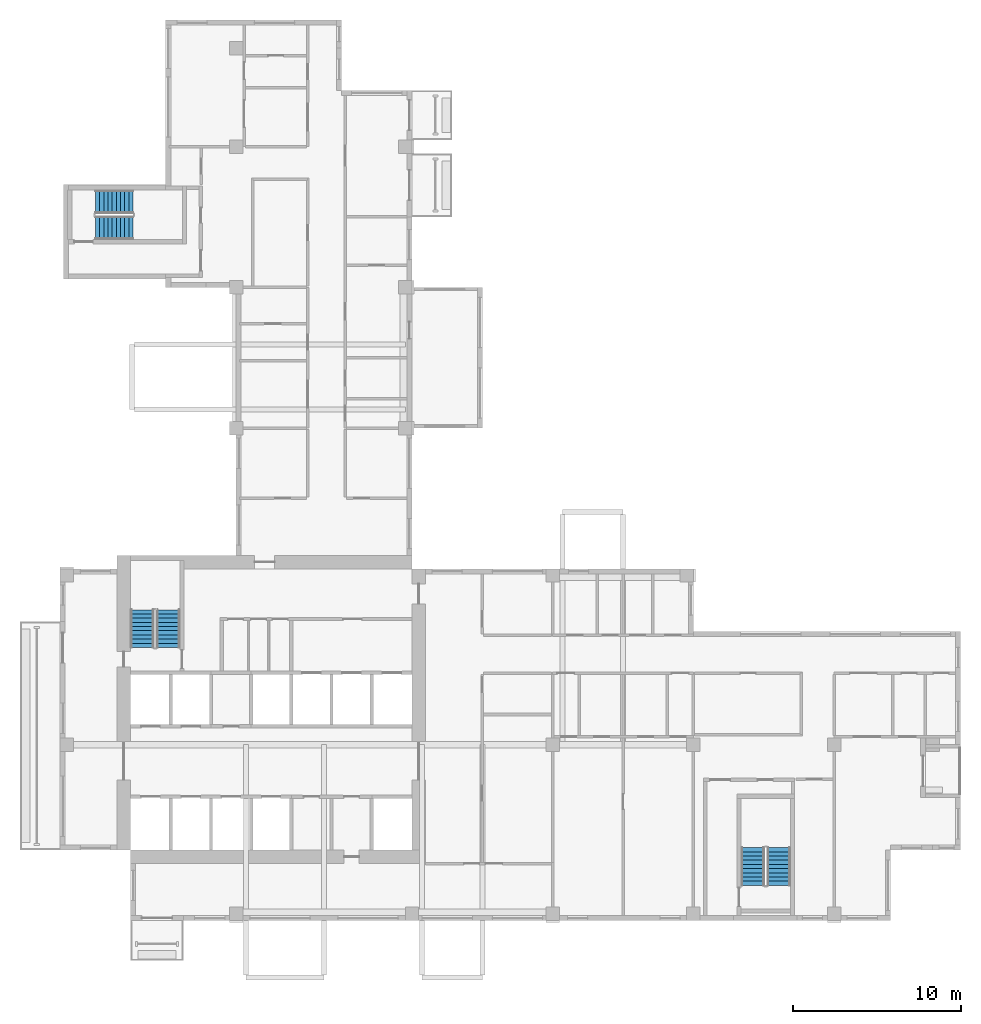
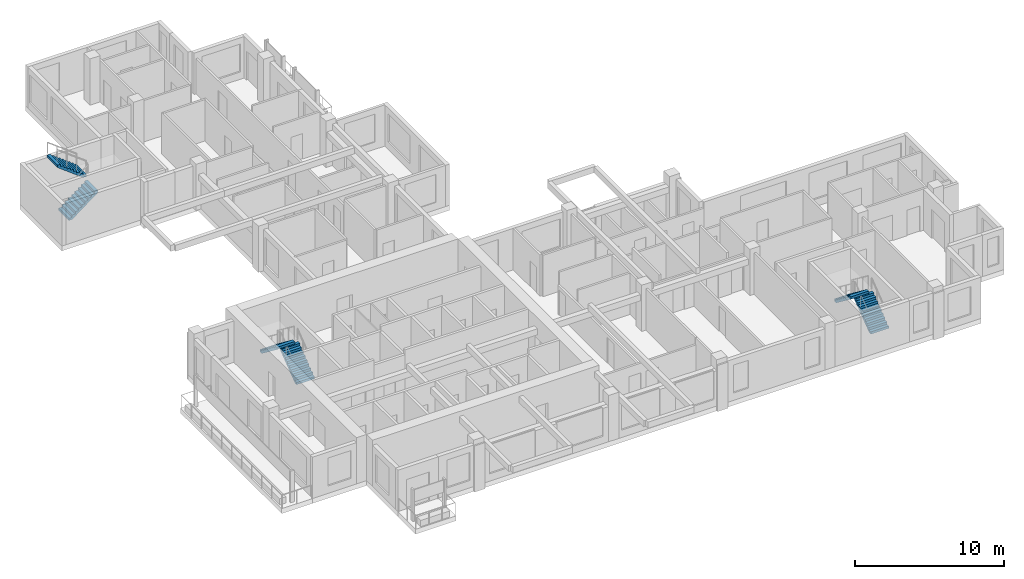
# One storey, part 8 of 12: 6 stair flights, 3 elements without a shape of their own.
"""IFC4 building model written with IfcOpenShell, lengths in metres."""

from ifc_helpers import new_model, si_unit, direction, frame, origin, place, context, subcontext, project, spatial, polyline, outline, extrude, source, transform, mapped, material, type_object, element, aggregate, save


model = new_model("IFC4")

# Units and contexts
model_context = context("Model", 3, precision=1e-05, world=origin(), true_north=direction((0.0, 1.0)))
body_context = subcontext(model_context, "Body", "Model", "MODEL_VIEW")
ifc_project = project(units=[si_unit("LENGTHUNIT", "METRE"), si_unit("AREAUNIT", "SQUARE_METRE"), si_unit("VOLUMEUNIT", "CUBIC_METRE"), si_unit("PLANEANGLEUNIT", "RADIAN"), si_unit("MASSUNIT", "GRAM", prefix="KILO")], contexts=[model_context])

# Site, building, storey
site_placement = place(None, origin())
site = spatial("IfcSite", under=ifc_project, at=site_placement, CompositionType="ELEMENT")
building_placement = place(site_placement, origin())
building = spatial("IfcBuilding", under=site, at=building_placement, Name="Aurelian Terraces", CompositionType="ELEMENT")
storey_placement = place(building_placement, frame((0.0, 0.0, 238.6)))
storey = spatial("IfcBuildingStorey", under=building, at=storey_placement, Name="L54", CompositionType="ELEMENT", Elevation=238.6)

# Stair, stair flights
ifc_material = material(Name="Concrete fc' 40 MPa", Category="concrete")
stair_type = type_object("IfcStairType", Name="Stair 1400", PredefinedType="HALF_TURN_STAIR", material=ifc_material)
stair_1_placement = place(storey_placement, origin())
stair_1 = element("IfcStair", 1, at=stair_1_placement, inside=storey, type_object=stair_type, Name="L54 S1", PredefinedType="HALF_TURN_STAIR")
stair_flight_type = type_object("IfcStairFlightType", Name="Stair flight 1400", PredefinedType="STRAIGHT", material=ifc_material)
shared_shape = source(origin(), body_context, "Body", "SweptSolid", [
    extrude(outline(polyline([(0.0, 0.0), (0.0, 0.19), (0.25, 0.19), (0.25, 0.38), (0.5, 0.38), (0.5, 0.57), (0.75, 0.57), (0.75, 0.76), (1.0, 0.76), (1.0, 0.95), (1.25, 0.95), (1.25, 1.14), (1.5, 1.14), (1.5, 1.33), (1.75, 1.33), (1.75, 1.52), (2.0, 1.52), (2.0, 1.71), (2.25, 1.71), (2.25, 1.9), (2.25, 1.5216), (0.2479, 0.0), (0.0, 0.0)])), frame((0.0, 0.7, 0.0), z_axis=(0.0, -1.0, 0.0), x_axis=(1.0, 0.0, 0.0)), (0.0, 0.0, 1.0), 1.4),
])
stair_flight_1_placement = place(storey_placement, frame((6.45, 16.3, 2e-08), z_axis=(0.0, 0.0, 1.0), x_axis=(0.0, 1.0, 0.0)))
stair_flight_1 = element("IfcStairFlight", 2, at=stair_flight_1_placement, type_object=stair_flight_type, Name="S1 flight 1", NumberOfRisers=10, NumberOfTreads=9, PredefinedType="STRAIGHT", RiserHeight=0.19, TreadLength=0.25, context=body_context, shape_type="MappedRepresentation", body=[
    mapped(shared_shape, transform((0.0, 0.0, 0.0), scale=1.0)),
])
stair_flight_2_placement = place(storey_placement, frame((4.9, 18.55, 1.9000000200000058), z_axis=(0.0, 0.0, 1.0), x_axis=(0.0, -1.0, 0.0)))
stair_flight_2 = element("IfcStairFlight", 3, at=stair_flight_2_placement, type_object=stair_flight_type, Name="S1 flight 2", NumberOfRisers=10, NumberOfTreads=9, PredefinedType="STRAIGHT", RiserHeight=0.19, TreadLength=0.25, context=body_context, shape_type="MappedRepresentation", body=[
    mapped(shared_shape, transform((0.0, 0.0, 0.0), scale=1.0)),
])
aggregate(stair_1, [stair_flight_1, stair_flight_2])

stair_2_placement = place(storey_placement, origin())
stair_2 = element("IfcStair", 4, at=stair_2_placement, inside=storey, type_object=stair_type, Name="L54 S2", PredefinedType="HALF_TURN_STAIR")
stair_flight_3_placement = place(storey_placement, frame((42.9, 2.1, 2e-08), z_axis=(0.0, 0.0, 1.0), x_axis=(0.0, 1.0, 0.0)))
stair_flight_3 = element("IfcStairFlight", 5, at=stair_flight_3_placement, type_object=stair_flight_type, Name="S2 flight 1", NumberOfRisers=10, NumberOfTreads=9, PredefinedType="STRAIGHT", RiserHeight=0.19, TreadLength=0.25, context=body_context, shape_type="MappedRepresentation", body=[
    mapped(shared_shape, transform((0.0, 0.0, 0.0), scale=1.0)),
])
stair_flight_4_placement = place(storey_placement, frame((41.35, 4.35, 1.9000000200000058), z_axis=(0.0, 0.0, 1.0), x_axis=(0.0, -1.0, 0.0)))
stair_flight_4 = element("IfcStairFlight", 6, at=stair_flight_4_placement, type_object=stair_flight_type, Name="S2 flight 2", NumberOfRisers=10, NumberOfTreads=9, PredefinedType="STRAIGHT", RiserHeight=0.19, TreadLength=0.25, context=body_context, shape_type="MappedRepresentation", body=[
    mapped(shared_shape, transform((0.0, 0.0, 0.0), scale=1.0)),
])
aggregate(stair_2, [stair_flight_3, stair_flight_4])

stair_3_placement = place(storey_placement, origin())
stair_3 = element("IfcStair", 7, at=stair_3_placement, inside=storey, type_object=stair_type, Name="L54 S3", PredefinedType="HALF_TURN_STAIR")
stair_flight_5_placement = place(storey_placement, frame((2.1, 41.35, 2e-08), z_axis=(0.0, 0.0, 1.0), x_axis=(1.0, 0.0, 0.0)))
stair_flight_5 = element("IfcStairFlight", 8, at=stair_flight_5_placement, type_object=stair_flight_type, Name="S3 flight 1", NumberOfRisers=10, NumberOfTreads=9, PredefinedType="STRAIGHT", RiserHeight=0.19, TreadLength=0.25, context=body_context, shape_type="MappedRepresentation", body=[
    mapped(shared_shape, transform((0.0, 0.0, 0.0), scale=1.0)),
])
stair_flight_6_placement = place(storey_placement, frame((4.35, 42.9, 1.9000000200000058), z_axis=(0.0, 0.0, 1.0), x_axis=(-1.0, 0.0, 0.0)))
stair_flight_6 = element("IfcStairFlight", 9, at=stair_flight_6_placement, type_object=stair_flight_type, Name="S3 flight 2", NumberOfRisers=10, NumberOfTreads=9, PredefinedType="STRAIGHT", RiserHeight=0.19, TreadLength=0.25, context=body_context, shape_type="MappedRepresentation", body=[
    mapped(shared_shape, transform((0.0, 0.0, 0.0), scale=1.0)),
])
aggregate(stair_3, [stair_flight_5, stair_flight_6])

save(model, "model.ifc")
